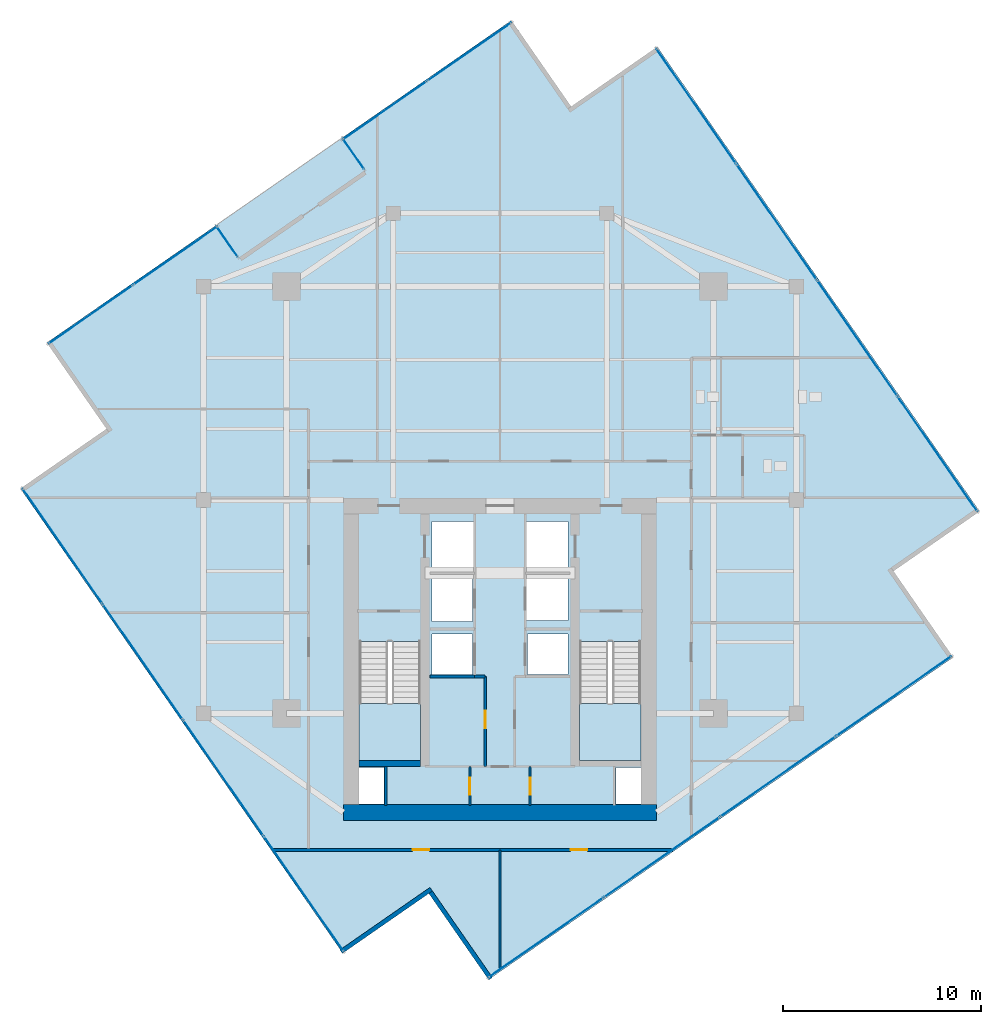
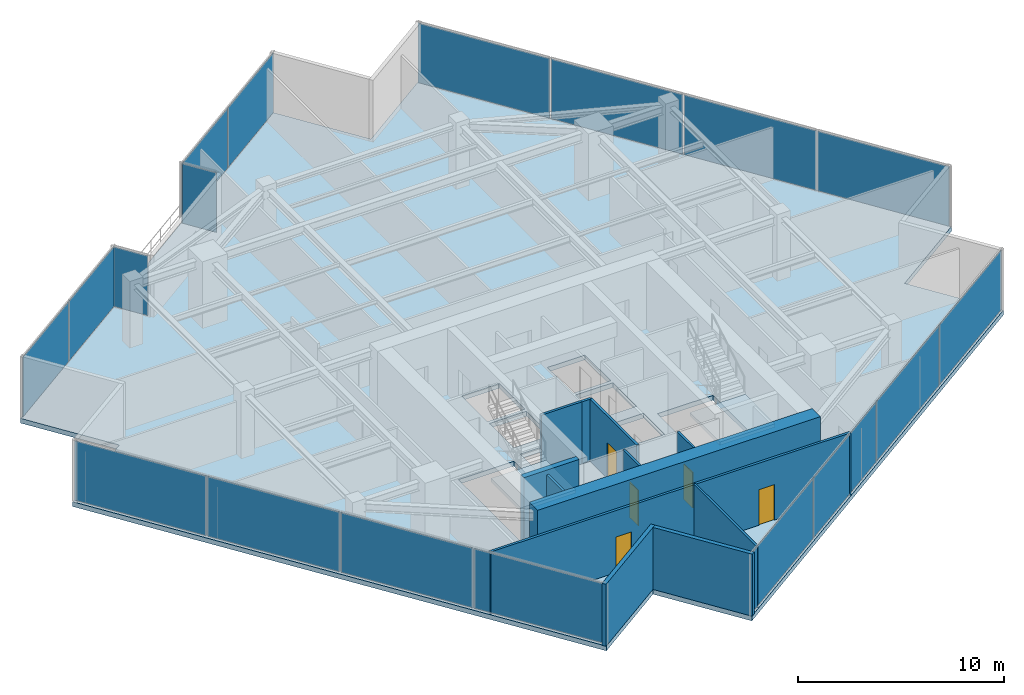
# One storey, part 17 of 21: 18 plates, 12 walls, 5 doors, 3 slabs, 5 openings, 9 elements without a shape of their own.
"""IFC4 building model written with IfcOpenShell, lengths in metres."""

from ifc_helpers import new_model, si_unit, direction, frame, frame_2d, origin, origin_2d, place, context, subcontext, project, spatial, polyline, rectangle, outline, extrude, source, transform, mapped, material, layer, layer_set, type_object, type_shapes, element, fill, aggregate, save


model = new_model("IFC4")

# Units and contexts
model_context = context("Model", 3, precision=1e-05, world=origin(), true_north=direction((0.0, 1.0)))
body_context = subcontext(model_context, "Body", "Model", "MODEL_VIEW")
ifc_project = project(units=[si_unit("LENGTHUNIT", "METRE"), si_unit("AREAUNIT", "SQUARE_METRE"), si_unit("VOLUMEUNIT", "CUBIC_METRE"), si_unit("PLANEANGLEUNIT", "RADIAN"), si_unit("MASSUNIT", "GRAM", prefix="KILO")], contexts=[model_context])

# Site, building, storey
site_placement = place(None, origin())
site = spatial("IfcSite", under=ifc_project, at=site_placement, CompositionType="ELEMENT")
building_placement = place(site_placement, origin())
building = spatial("IfcBuilding", under=site, at=building_placement, Name="Krantzveldt Concourse Tower", CompositionType="ELEMENT")
storey_placement = place(building_placement, frame((0.0, 0.0, 271.35009765625)))
storey = spatial("IfcBuildingStorey", under=building, at=storey_placement, Name="L66", CompositionType="ELEMENT", Elevation=271.35009765625)

# Stair, slab
ifc_material_1 = material(Name="Precast concrete C40/50", Category="concrete")
stair_type = type_object("IfcStairType", Name="STR-CORE-DOGLEG", PredefinedType="HALF_TURN_STAIR", material=ifc_material_1)
stair_1_placement = place(storey_placement, origin())
stair_1 = element("IfcStair", 1, at=stair_1_placement, inside=storey, type_object=stair_type, Name="L66 Protected Escape Stair ST-1", PredefinedType="HALF_TURN_STAIR")
ifc_layer_1 = layer(ifc_material_1, 0.199951171875, Name="Precast concrete C40/50", Category="concrete")
ifc_layer_set_1 = layer_set([ifc_layer_1], Name="Precast concrete C40/50 (SL-LANDING-200)")
slab_type_1 = type_object("IfcSlabType", Name="SL-LANDING-200", PredefinedType="LANDING", material=ifc_layer_set_1)
slab_1_placement = place(storey_placement, frame((0.0, 0.0, 1.77490234375)))
slab_1 = element("IfcSlab", 2, at=slab_1_placement, type_object=slab_type_1, Name="ST-1 landing 1", PredefinedType="LANDING", context=body_context, shape_type="SweptSolid", body=[
    extrude(outline(polyline([(28.8798828125, 16.4150390625), (28.8798828125, 13.52001953125), (31.97998046875, 13.52001953125), (31.97998046875, 16.4150390625), (28.8798828125, 16.4150390625)])), origin(), (0.0, 0.0, 1.0), 0.199951171875),
])
aggregate(stair_1, [slab_1])

stair_2_placement = place(storey_placement, origin())
stair_2 = element("IfcStair", 3, at=stair_2_placement, inside=storey, type_object=stair_type, Name="L66 Protected Escape Stair ST-2", PredefinedType="HALF_TURN_STAIR")
slab_2_placement = place(storey_placement, frame((0.0, 0.0, 1.77490234375)))
slab_2 = element("IfcSlab", 4, at=slab_2_placement, type_object=slab_type_1, Name="ST-2 landing 1", PredefinedType="LANDING", context=body_context, shape_type="SweptSolid", body=[
    extrude(outline(polyline([(40.02001953125, 16.4150390625), (40.02001953125, 13.52001953125), (43.1201171875, 13.52001953125), (43.1201171875, 16.4150390625), (40.02001953125, 16.4150390625)])), origin(), (0.0, 0.0, 1.0), 0.199951171875),
])
aggregate(stair_2, [slab_2])

# Slab
ifc_material_2 = material(Name="Concrete C40/50", Category="concrete")
ifc_layer_2 = layer(ifc_material_2, 0.280029296875, Name="Concrete C40/50", Category="concrete")
ifc_layer_set_2 = layer_set([ifc_layer_2], Name="Concrete C40/50 (SL-SL-TER280)")
slab_type_2 = type_object("IfcSlabType", Name="SL-SL-TER280", PredefinedType="FLOOR", material=ifc_layer_set_2)
slab_3_placement = place(storey_placement, frame((0.0, 0.0, -0.280029296875)))
element("IfcSlab", 5, at=slab_3_placement, inside=storey, type_object=slab_type_2, Name="SL-L66-MAIN", PredefinedType="FLOOR", context=body_context, shape_type="SweptSolid", body=[
    extrude(outline(polyline([(39.5986328125, 46.6005859375), (36.57763671875, 50.955322265625), (13.07861328125, 34.6533203125), (16.099609375, 30.298583984375), (11.744873046875, 27.277587890625), (28.046630859375, 3.778564453125), (32.4013671875, 6.799560546875), (35.42236328125, 2.44482421875), (58.92138671875, 18.74658203125), (55.900390625, 23.101318359375), (60.255126953125, 26.122314453125), (43.953369140625, 49.62158203125), (39.5986328125, 46.6005859375)]), holes=[polyline([(28.8798828125, 19.547607421875), (28.8798828125, 13.52001953125), (31.97998046875, 13.52001953125), (31.97998046875, 19.547607421875), (28.8798828125, 19.547607421875)]), polyline([(40.02001953125, 19.547607421875), (40.02001953125, 13.52001953125), (43.1201171875, 13.52001953125), (43.1201171875, 19.547607421875), (40.02001953125, 19.547607421875)]), polyline([(32.550048828125, 23.10009765625), (34.64990234375, 23.10009765625), (34.64990234375, 25.60009765625), (32.550048828125, 25.60009765625), (32.550048828125, 23.10009765625)]), polyline([(37.35009765625, 23.10009765625), (39.449951171875, 23.10009765625), (39.449951171875, 25.60009765625), (37.35009765625, 25.60009765625), (37.35009765625, 23.10009765625)]), polyline([(37.35009765625, 20.60009765625), (39.449951171875, 20.60009765625), (39.449951171875, 22.89990234375), (37.35009765625, 22.89990234375), (37.35009765625, 20.60009765625)]), polyline([(32.550048828125, 20.550048828125), (34.6201171875, 20.550048828125), (34.6201171875, 22.89990234375), (32.550048828125, 22.89990234375), (32.550048828125, 20.550048828125)]), polyline([(32.550048828125, 17.8798828125), (34.6201171875, 17.8798828125), (34.6201171875, 19.919921875), (32.550048828125, 19.919921875), (32.550048828125, 17.8798828125)]), polyline([(37.3798828125, 17.8798828125), (39.449951171875, 17.8798828125), (39.449951171875, 19.919921875), (37.3798828125, 19.919921875), (37.3798828125, 17.8798828125)]), polyline([(28.8798828125, 11.320068359375), (30.139892578125, 11.320068359375), (30.139892578125, 13.159912109375), (28.8798828125, 13.159912109375), (28.8798828125, 11.320068359375)]), polyline([(41.860107421875, 11.320068359375), (43.1201171875, 11.320068359375), (43.1201171875, 13.159912109375), (41.860107421875, 13.159912109375), (41.860107421875, 11.320068359375)])]), origin(), (0.0, 0.0, 1.0), 0.280029296875),
])

# Curtain wall, plate
ifc_material_3 = material(Name="Anodised aluminium 6063-T6", Category="aluminium")
curtain_wall_type_1 = type_object("IfcCurtainWallType", Name="CW6", PredefinedType="USERDEFINED", material=ifc_material_3)
curtain_wall_1_placement = place(storey_placement, origin())
curtain_wall_1 = element("IfcCurtainWall", 6, at=curtain_wall_1_placement, inside=storey, type_object=curtain_wall_type_1, Name="CW-L66-TR02", ObjectType="UNITISED CURTAIN WALL", PredefinedType="USERDEFINED")
ifc_material_4 = material(Name="Bronze-tinted laminated low-E IGU glass", Category="glass")
ifc_layer_3 = layer(ifc_material_4, 0.031982421875, Name="Bronze-tinted laminated low-E IGU glass", Category="glass")
ifc_layer_set_3 = layer_set([ifc_layer_3], Name="Bronze-tinted laminated low-E IGU glass (CW-GLZ-32)")
plate_type = type_object("IfcPlateType", Name="CW-GLZ-32", PredefinedType="CURTAIN_PANEL", material=ifc_layer_set_3)
shared_shape_1 = source(origin(), body_context, "Body", "SweptSolid", [
    extrude(rectangle(XDim=1.860107421875, YDim=0.031982421875, at=origin_2d()), origin(), (0.0, 0.0, 1.0), 3.530029296875),
])
plate_1_placement = place(storey_placement, frame((28.59423828125, 44.199951171875, 0.06982421875), z_axis=(0.0, 0.0, 1.0), x_axis=(0.569997514107, -0.8216464166, 0.0)))
plate_1 = element("IfcPlate", 7, at=plate_1_placement, type_object=plate_type, Name="CW-TERR panel 1.1", PredefinedType="CURTAIN_PANEL", context=body_context, shape_type="MappedRepresentation", body=[
    mapped(shared_shape_1, transform((0.0, 0.0, 0.0), x_axis=(1.0, 0.0, 0.0), y_axis=(0.0, 1.0, 0.0), z_axis=(0.0, 0.0, 1.0), scale=1.0)),
])
aggregate(curtain_wall_1, [plate_1])

curtain_wall_2_placement = place(storey_placement, origin())
curtain_wall_2 = element("IfcCurtainWall", 8, at=curtain_wall_2_placement, inside=storey, type_object=curtain_wall_type_1, Name="CW-L66-TR04", ObjectType="UNITISED CURTAIN WALL", PredefinedType="USERDEFINED")
plate_2_placement = place(storey_placement, frame((22.201904296875, 39.765380859375, 0.06982421875), z_axis=(0.0, 0.0, 1.0), x_axis=(-0.569996480262, 0.821647133805, 0.0)))
plate_2 = element("IfcPlate", 9, at=plate_2_placement, type_object=plate_type, Name="CW-TERR panel 1.1", PredefinedType="CURTAIN_PANEL", context=body_context, shape_type="MappedRepresentation", body=[
    mapped(shared_shape_1, transform((0.0, 0.0, 0.0), x_axis=(1.0, 0.0, 0.0), y_axis=(0.0, 1.0, 0.0), z_axis=(0.0, 0.0, 1.0), scale=1.0)),
])
aggregate(curtain_wall_2, [plate_2])

# Curtain wall, plates
curtain_wall_type_2 = type_object("IfcCurtainWallType", Name="CW4", PredefinedType="USERDEFINED", material=ifc_material_3)
curtain_wall_3_placement = place(storey_placement, origin())
curtain_wall_3 = element("IfcCurtainWall", 10, at=curtain_wall_3_placement, inside=storey, type_object=curtain_wall_type_2, Name="CW-L66-F08", ObjectType="UNITISED CURTAIN WALL", PredefinedType="USERDEFINED")
shared_shape_2 = source(origin(), body_context, "Body", "SweptSolid", [
    extrude(rectangle(XDim=7.044921875, YDim=0.031982421875, at=origin_2d()), origin(), (0.0, 0.0, 1.0), 3.530029296875),
])
plate_3_placement = place(storey_placement, frame((13.866455078125, 24.377197265625, 0.06982421875), z_axis=(0.0, 0.0, 1.0), x_axis=(0.569996627395, -0.821647031735, 0.0)))
plate_3 = element("IfcPlate", 11, at=plate_3_placement, type_object=plate_type, Name="CW-Z56 panel 1.1", PredefinedType="CURTAIN_PANEL", context=body_context, shape_type="MappedRepresentation", body=[
    mapped(shared_shape_2, transform((0.0, 0.0, 0.0), x_axis=(1.0, 0.0, 0.0), y_axis=(0.0, 1.0, 0.0), z_axis=(0.0, 0.0, 1.0), scale=1.0)),
])
plate_4_placement = place(storey_placement, frame((26.072998046875, 6.781494140625, 0.06982421875), z_axis=(0.0, 0.0, 1.0), x_axis=(0.569996627395, -0.821647031735, 0.0)))
plate_4 = element("IfcPlate", 12, at=plate_4_placement, type_object=plate_type, Name="CW-Z56 panel 4.1", PredefinedType="CURTAIN_PANEL", context=body_context, shape_type="MappedRepresentation", body=[
    mapped(shared_shape_2, transform((0.0, 0.0, 0.0), x_axis=(1.0, 0.0, 0.0), y_axis=(0.0, 1.0, 0.0), z_axis=(0.0, 0.0, 1.0), scale=1.0)),
])

curtain_wall_4_placement = place(storey_placement, origin())
curtain_wall_4 = element("IfcCurtainWall", 13, at=curtain_wall_4_placement, inside=storey, type_object=curtain_wall_type_2, Name="CW-L66-F11", ObjectType="UNITISED CURTAIN WALL", PredefinedType="USERDEFINED")
plate_5_placement = place(storey_placement, frame((38.32275390625, 4.56640625, 0.06982421875), z_axis=(0.0, 0.0, 1.0), x_axis=(0.821647031735, 0.569996627395, 0.0)))
plate_5 = element("IfcPlate", 14, at=plate_5_placement, type_object=plate_type, Name="CW-Z56 panel 1.1", PredefinedType="CURTAIN_PANEL", context=body_context, shape_type="MappedRepresentation", body=[
    mapped(shared_shape_2, transform((0.0, 0.0, 0.0), x_axis=(1.0, 0.0, 0.0), y_axis=(0.0, 1.0, 0.0), z_axis=(0.0, 0.0, 1.0), scale=1.0)),
])
plate_6_placement = place(storey_placement, frame((55.91845703125, 16.77294921875, 0.06982421875), z_axis=(0.0, 0.0, 1.0), x_axis=(0.821647031735, 0.569996627395, 0.0)))
plate_6 = element("IfcPlate", 15, at=plate_6_placement, type_object=plate_type, Name="CW-Z56 panel 4.1", PredefinedType="CURTAIN_PANEL", context=body_context, shape_type="MappedRepresentation", body=[
    mapped(shared_shape_2, transform((0.0, 0.0, 0.0), x_axis=(1.0, 0.0, 0.0), y_axis=(0.0, 1.0, 0.0), z_axis=(0.0, 0.0, 1.0), scale=1.0)),
])

curtain_wall_5_placement = place(storey_placement, origin())
curtain_wall_5 = element("IfcCurtainWall", 16, at=curtain_wall_5_placement, inside=storey, type_object=curtain_wall_type_2, Name="CW-L66-F14", ObjectType="UNITISED CURTAIN WALL", PredefinedType="USERDEFINED")
plate_7_placement = place(storey_placement, frame((58.133544921875, 29.02294921875, 0.06982421875), z_axis=(0.0, 0.0, 1.0), x_axis=(-0.569996627395, 0.821647031735, 0.0)))
plate_7 = element("IfcPlate", 17, at=plate_7_placement, type_object=plate_type, Name="CW-Z56 panel 1.1", PredefinedType="CURTAIN_PANEL", context=body_context, shape_type="MappedRepresentation", body=[
    mapped(shared_shape_2, transform((0.0, 0.0, 0.0), x_axis=(1.0, 0.0, 0.0), y_axis=(0.0, 1.0, 0.0), z_axis=(0.0, 0.0, 1.0), scale=1.0)),
])
plate_8_placement = place(storey_placement, frame((45.927001953125, 46.618408203125, 0.06982421875), z_axis=(0.0, 0.0, 1.0), x_axis=(-0.569996627395, 0.821647031735, 0.0)))
plate_8 = element("IfcPlate", 18, at=plate_8_placement, type_object=plate_type, Name="CW-Z56 panel 4.1", PredefinedType="CURTAIN_PANEL", context=body_context, shape_type="MappedRepresentation", body=[
    mapped(shared_shape_2, transform((0.0, 0.0, 0.0), x_axis=(1.0, 0.0, 0.0), y_axis=(0.0, 1.0, 0.0), z_axis=(0.0, 0.0, 1.0), scale=1.0)),
])

# Plate
shared_shape_3 = source(origin(), body_context, "Body", "SweptSolid", [
    extrude(rectangle(XDim=7.080078125, YDim=0.031982421875, at=origin_2d()), origin(), (0.0, 0.0, 1.0), 3.530029296875),
])
plate_9_placement = place(storey_placement, frame((17.931884765625, 18.516845703125, 0.06982421875), z_axis=(0.0, 0.0, 1.0), x_axis=(0.569996627395, -0.821647031735, 0.0)))
plate_9 = element("IfcPlate", 19, at=plate_9_placement, type_object=plate_type, Name="CW-Z56 panel 2.1", PredefinedType="CURTAIN_PANEL", context=body_context, shape_type="MappedRepresentation", body=[
    mapped(shared_shape_3, transform((0.0, 0.0, 0.0), x_axis=(1.0, 0.0, 0.0), y_axis=(0.0, 1.0, 0.0), z_axis=(0.0, 0.0, 1.0), scale=1.0)),
])

plate_10_placement = place(storey_placement, frame((22.00732421875, 12.64208984375, 0.06982421875), z_axis=(0.0, 0.0, 1.0), x_axis=(0.569996627395, -0.821647031735, 0.0)))
plate_10 = element("IfcPlate", 20, at=plate_10_placement, type_object=plate_type, Name="CW-Z56 panel 3.1", PredefinedType="CURTAIN_PANEL", context=body_context, shape_type="MappedRepresentation", body=[
    mapped(shared_shape_3, transform((0.0, 0.0, 0.0), x_axis=(1.0, 0.0, 0.0), y_axis=(0.0, 1.0, 0.0), z_axis=(0.0, 0.0, 1.0), scale=1.0)),
])

aggregate(curtain_wall_3, [plate_3, plate_9, plate_10, plate_4])

plate_11_placement = place(storey_placement, frame((44.183349609375, 8.6318359375, 0.06982421875), z_axis=(0.0, 0.0, 1.0), x_axis=(0.821647031735, 0.569996627395, 0.0)))
plate_11 = element("IfcPlate", 21, at=plate_11_placement, type_object=plate_type, Name="CW-Z56 panel 2.1", PredefinedType="CURTAIN_PANEL", context=body_context, shape_type="MappedRepresentation", body=[
    mapped(shared_shape_3, transform((0.0, 0.0, 0.0), x_axis=(1.0, 0.0, 0.0), y_axis=(0.0, 1.0, 0.0), z_axis=(0.0, 0.0, 1.0), scale=1.0)),
])

plate_12_placement = place(storey_placement, frame((50.05810546875, 12.70751953125, 0.06982421875), z_axis=(0.0, 0.0, 1.0), x_axis=(0.821647031735, 0.569996627395, 0.0)))
plate_12 = element("IfcPlate", 22, at=plate_12_placement, type_object=plate_type, Name="CW-Z56 panel 3.1", PredefinedType="CURTAIN_PANEL", context=body_context, shape_type="MappedRepresentation", body=[
    mapped(shared_shape_3, transform((0.0, 0.0, 0.0), x_axis=(1.0, 0.0, 0.0), y_axis=(0.0, 1.0, 0.0), z_axis=(0.0, 0.0, 1.0), scale=1.0)),
])

aggregate(curtain_wall_4, [plate_5, plate_11, plate_12, plate_6])

plate_13_placement = place(storey_placement, frame((54.068115234375, 34.88330078125, 0.06982421875), z_axis=(0.0, 0.0, 1.0), x_axis=(-0.569996627395, 0.821647031735, 0.0)))
plate_13 = element("IfcPlate", 23, at=plate_13_placement, type_object=plate_type, Name="CW-Z56 panel 2.1", PredefinedType="CURTAIN_PANEL", context=body_context, shape_type="MappedRepresentation", body=[
    mapped(shared_shape_3, transform((0.0, 0.0, 0.0), x_axis=(1.0, 0.0, 0.0), y_axis=(0.0, 1.0, 0.0), z_axis=(0.0, 0.0, 1.0), scale=1.0)),
])

plate_14_placement = place(storey_placement, frame((49.99267578125, 40.758056640625, 0.06982421875), z_axis=(0.0, 0.0, 1.0), x_axis=(-0.569996627395, 0.821647031735, 0.0)))
plate_14 = element("IfcPlate", 24, at=plate_14_placement, type_object=plate_type, Name="CW-Z56 panel 3.1", PredefinedType="CURTAIN_PANEL", context=body_context, shape_type="MappedRepresentation", body=[
    mapped(shared_shape_3, transform((0.0, 0.0, 0.0), x_axis=(1.0, 0.0, 0.0), y_axis=(0.0, 1.0, 0.0), z_axis=(0.0, 0.0, 1.0), scale=1.0)),
])

aggregate(curtain_wall_5, [plate_7, plate_13, plate_14, plate_8])

# Curtain wall, plates
curtain_wall_6_placement = place(storey_placement, origin())
curtain_wall_6 = element("IfcCurtainWall", 25, at=curtain_wall_6_placement, inside=storey, type_object=curtain_wall_type_2, Name="CW-L66-F01", ObjectType="UNITISED CURTAIN WALL", PredefinedType="USERDEFINED")
shared_shape_4 = source(origin(), body_context, "Body", "SweptSolid", [
    extrude(rectangle(XDim=5.14501953125, YDim=0.031982421875, at=origin_2d()), origin(), (0.0, 0.0, 1.0), 3.530029296875),
])
type_shapes(plate_type, [shared_shape_1, shared_shape_2, shared_shape_3, shared_shape_4])
plate_15_placement = place(storey_placement, frame((34.457763671875, 49.375, 0.06982421875), z_axis=(0.0, 0.0, 1.0), x_axis=(-0.821647117748, -0.569996503407, 0.0)))
plate_15 = element("IfcPlate", 26, at=plate_15_placement, type_object=plate_type, Name="CW-Z56 panel 1.1", PredefinedType="CURTAIN_PANEL", context=body_context, shape_type="MappedRepresentation", body=[
    mapped(shared_shape_4, transform((0.0, 0.0, 0.0), x_axis=(1.0, 0.0, 0.0), y_axis=(0.0, 1.0, 0.0), z_axis=(0.0, 0.0, 1.0), scale=1.0)),
])
plate_16_placement = place(storey_placement, frame((30.1728515625, 46.402587890625, 0.06982421875), z_axis=(0.0, 0.0, 1.0), x_axis=(-0.821647117748, -0.569996503407, 0.0)))
plate_16 = element("IfcPlate", 27, at=plate_16_placement, type_object=plate_type, Name="CW-Z56 panel 2.1", PredefinedType="CURTAIN_PANEL", context=body_context, shape_type="MappedRepresentation", body=[
    mapped(shared_shape_4, transform((0.0, 0.0, 0.0), x_axis=(1.0, 0.0, 0.0), y_axis=(0.0, 1.0, 0.0), z_axis=(0.0, 0.0, 1.0), scale=1.0)),
])
aggregate(curtain_wall_6, [plate_15, plate_16])

curtain_wall_7_placement = place(storey_placement, origin())
curtain_wall_7 = element("IfcCurtainWall", 28, at=curtain_wall_7_placement, inside=storey, type_object=curtain_wall_type_2, Name="CW-L66-F05", ObjectType="UNITISED CURTAIN WALL", PredefinedType="USERDEFINED")
plate_17_placement = place(storey_placement, frame((19.5859375, 39.05810546875, 0.06982421875), z_axis=(0.0, 0.0, 1.0), x_axis=(-0.82164742717, -0.569996057376, 0.0)))
plate_17 = element("IfcPlate", 29, at=plate_17_placement, type_object=plate_type, Name="CW-Z56 panel 1.1", PredefinedType="CURTAIN_PANEL", context=body_context, shape_type="MappedRepresentation", body=[
    mapped(shared_shape_4, transform((0.0, 0.0, 0.0), x_axis=(1.0, 0.0, 0.0), y_axis=(0.0, 1.0, 0.0), z_axis=(0.0, 0.0, 1.0), scale=1.0)),
])
plate_18_placement = place(storey_placement, frame((15.301025390625, 36.085693359375, 0.06982421875), z_axis=(0.0, 0.0, 1.0), x_axis=(-0.82164742717, -0.569996057376, 0.0)))
plate_18 = element("IfcPlate", 30, at=plate_18_placement, type_object=plate_type, Name="CW-Z56 panel 2.1", PredefinedType="CURTAIN_PANEL", context=body_context, shape_type="MappedRepresentation", body=[
    mapped(shared_shape_4, transform((0.0, 0.0, 0.0), x_axis=(1.0, 0.0, 0.0), y_axis=(0.0, 1.0, 0.0), z_axis=(0.0, 0.0, 1.0), scale=1.0)),
])
aggregate(curtain_wall_7, [plate_17, plate_18])

# Walls
ifc_layer_4 = layer(ifc_material_3, 0.219970703125, Name="Anodised aluminium 6063-T6", Category="aluminium")
ifc_layer_set_4 = layer_set([ifc_layer_4], Name="Anodised aluminium 6063-T6 (WL-EXT-NOTCH220)")
wall_type_1 = type_object("IfcWallType", Name="WL-EXT-NOTCH220", PredefinedType="ELEMENTEDWALL", material=ifc_layer_set_4)
wall_1_placement = place(storey_placement, frame((27.96337890625, 3.854736328125, 0.0), z_axis=(0.0, 0.0, 1.0), x_axis=(0.821652918874, 0.569988141022, 0.0)))
element("IfcWall", 31, at=wall_1_placement, inside=storey, type_object=wall_type_1, Name="EW-L66-NCH09", PredefinedType="ELEMENTEDWALL", context=body_context, shape_type="SweptSolid", body=[
    extrude(rectangle(XDim=5.545166015625, YDim=0.219970703125, at=frame_2d((2.7724609375, 0.0))), origin(), (0.0, 0.0, 1.0), 3.669921875),
])
wall_2_placement = place(storey_placement, frame((32.49169921875, 6.8623046875, 0.0), z_axis=(0.0, 0.0, 1.0), x_axis=(0.569998811791, -0.821645516361, 0.0)))
element("IfcWall", 32, at=wall_2_placement, inside=storey, type_object=wall_type_1, Name="EW-L66-NCH10", PredefinedType="ELEMENTEDWALL", context=body_context, shape_type="SweptSolid", body=[
    extrude(rectangle(XDim=5.3251953125, YDim=0.219970703125, at=frame_2d((2.66259765625, 0.0))), origin(), (0.0, 0.0, 1.0), 3.669921875),
])

# Wall, opening, door
ifc_material_5 = material(Name="Fire-rated gypsum plasterboard on steel stud", Category="steel")
ifc_layer_5 = layer(ifc_material_5, 0.1201171875, Name="Fire-rated gypsum plasterboard on steel stud", Category="steel")
ifc_layer_set_5 = layer_set([ifc_layer_5], Name="Fire-rated gypsum plasterboard on steel stud (WL-PART-120)")
wall_type_2 = type_object("IfcWallType", Name="WL-PART-120", PredefinedType="PARTITIONING", material=ifc_layer_set_5)
wall_3_placement = place(storey_placement, frame((34.47998046875, 11.25, 0.0), z_axis=(0.0, 0.0, 1.0), x_axis=(0.0, 1.0, 0.0)))
wall_3 = element("IfcWall", 33, at=wall_3_placement, inside=storey, type_object=wall_type_2, Name="WP-L66-CSB-VL", PredefinedType="PARTITIONING", context=body_context, shape_type="SweptSolid", body=[
    extrude(rectangle(XDim=1.969970703125, YDim=0.1201171875, at=frame_2d((0.98486328125, 0.0))), origin(), (0.0, 0.0, 1.0), 3.669921875),
])
opening_1_placement = place(wall_3_placement, frame((0.544921875, 0.0, 0.0)))
opening_1 = element("IfcOpeningElement", 34, at=opening_1_placement, cuts=wall_3, Name="Opening D-IN085", PredefinedType="OPENING", context=body_context, shape_type="SweptSolid", body=[
    extrude(rectangle(XDim=0.85009765625, YDim=2.10009765625, at=frame_2d((0.425048828125, 1.050048828125))), frame((0.0, 0.070068359375, 0.0), z_axis=(0.0, -1.0, 0.0), x_axis=(1.0, 0.0, 0.0)), (0.0, 0.0, 1.0), 0.14013671875),
])
ifc_material_6 = material(Name="Hardwood timber", Category="wood")
door_type_1 = type_object("IfcDoorType", Name="DR-INT-850", OperationType="SINGLE_SWING_LEFT", PredefinedType="DOOR", material=ifc_material_6)
door_1_placement = place(opening_1_placement, origin())
door_1 = element("IfcDoor", 35, at=door_1_placement, inside=storey, type_object=door_type_1, Name="DR-L66-CSB1", OperationType="SINGLE_SWING_LEFT", OverallHeight=2.10009765625, OverallWidth=0.85009765625, PredefinedType="DOOR", context=body_context, shape_type="SweptSolid", body=[
    extrude(rectangle(XDim=0.85009765625, YDim=2.10009765625, at=frame_2d((0.425048828125, 1.050048828125))), frame((0.0, 0.02490234375, 0.0), z_axis=(0.0, -1.0, 0.0), x_axis=(1.0, 0.0, 0.0)), (0.0, 0.0, 1.0), 0.050048828125),
])
fill(opening_1, door_1)

wall_4_placement = place(storey_placement, frame((37.52001953125, 11.25, 0.0), z_axis=(0.0, 0.0, 1.0), x_axis=(0.0, 1.0, 0.0)))
wall_4 = element("IfcWall", 36, at=wall_4_placement, inside=storey, type_object=wall_type_2, Name="WP-L66-CSB-VR", PredefinedType="PARTITIONING", context=body_context, shape_type="SweptSolid", body=[
    extrude(rectangle(XDim=1.969970703125, YDim=0.1201171875, at=frame_2d((0.98486328125, 0.0))), origin(), (0.0, 0.0, 1.0), 3.669921875),
])
opening_2_placement = place(wall_4_placement, frame((0.544921875, 0.0, 0.0)))
opening_2 = element("IfcOpeningElement", 37, at=opening_2_placement, cuts=wall_4, Name="Opening D-IN085", PredefinedType="OPENING", context=body_context, shape_type="SweptSolid", body=[
    extrude(rectangle(XDim=0.85009765625, YDim=2.10009765625, at=frame_2d((0.425048828125, 1.050048828125))), frame((0.0, 0.070068359375, 0.0), z_axis=(0.0, -1.0, 0.0), x_axis=(1.0, 0.0, 0.0)), (0.0, 0.0, 1.0), 0.14013671875),
])
door_2_placement = place(opening_2_placement, origin())
door_2 = element("IfcDoor", 38, at=door_2_placement, inside=storey, type_object=door_type_1, Name="DR-L66-CSB2", OperationType="SINGLE_SWING_RIGHT", OverallHeight=2.10009765625, OverallWidth=0.85009765625, PredefinedType="DOOR", context=body_context, shape_type="SweptSolid", body=[
    extrude(rectangle(XDim=0.85009765625, YDim=2.10009765625, at=frame_2d((0.425048828125, 1.050048828125))), frame((0.0, 0.02490234375, 0.0), z_axis=(0.0, -1.0, 0.0), x_axis=(1.0, 0.0, 0.0)), (0.0, 0.0, 1.0), 0.050048828125),
])
fill(opening_2, door_2)

# Wall
wall_5_placement = place(storey_placement, frame((36.0, 2.955078125, 0.0), z_axis=(0.0, 0.0, 1.0), x_axis=(0.0, 1.0, 0.0)))
element("IfcWall", 39, at=wall_5_placement, inside=storey, type_object=wall_type_2, Name="WP-L66-SSMD", PredefinedType="PARTITIONING", context=body_context, shape_type="SweptSolid", body=[
    extrude(rectangle(XDim=6.044921875, YDim=0.1201171875, at=frame_2d((3.0224609375, 0.0))), origin(), (0.0, 0.0, 1.0), 3.669921875),
])

# Wall, openings, doors
ifc_layer_6 = layer(ifc_material_5, 0.139892578125, Name="Fire-rated gypsum plasterboard on steel stud", Category="steel")
ifc_layer_set_6 = layer_set([ifc_layer_6], Name="Fire-rated gypsum plasterboard on steel stud (WL-PART-140)")
wall_type_3 = type_object("IfcWallType", Name="WL-PART-140", PredefinedType="PARTITIONING", material=ifc_layer_set_6)
wall_6_placement = place(storey_placement, frame((24.533935546875, 9.0, 0.0), z_axis=(0.0, 0.0, 1.0), x_axis=(1.0, 0.0, 0.0)))
wall_6 = element("IfcWall", 40, at=wall_6_placement, inside=storey, type_object=wall_type_3, Name="WP-L66-CSBOT", PredefinedType="PARTITIONING", context=body_context, shape_type="SweptSolid", body=[
    extrude(rectangle(XDim=20.179931640625, YDim=0.139892578125, at=frame_2d((10.08984375, 0.0))), origin(), (0.0, 0.0, 1.0), 3.669921875),
])
opening_3_placement = place(wall_6_placement, frame((7.041015625, 0.0, 0.0)))
opening_3 = element("IfcOpeningElement", 41, at=opening_3_placement, cuts=wall_6, Name="Opening D-IN085", PredefinedType="OPENING", context=body_context, shape_type="SweptSolid", body=[
    extrude(rectangle(XDim=0.85009765625, YDim=2.10009765625, at=frame_2d((0.425048828125, 1.050048828125))), frame((0.0, 0.080078125, 0.0), z_axis=(0.0, -1.0, 0.0), x_axis=(1.0, 0.0, 0.0)), (0.0, 0.0, 1.0), 0.159912109375),
])
opening_4_placement = place(wall_6_placement, frame((15.041015625, 0.0, 0.0)))
opening_4 = element("IfcOpeningElement", 42, at=opening_4_placement, cuts=wall_6, Name="Opening D-IN085", PredefinedType="OPENING", context=body_context, shape_type="SweptSolid", body=[
    extrude(rectangle(XDim=0.85009765625, YDim=2.10009765625, at=frame_2d((0.425048828125, 1.050048828125))), frame((0.0, 0.080078125, 0.0), z_axis=(0.0, -1.0, 0.0), x_axis=(1.0, 0.0, 0.0)), (0.0, 0.0, 1.0), 0.159912109375),
])
door_3_placement = place(opening_3_placement, origin())
door_3 = element("IfcDoor", 43, at=door_3_placement, inside=storey, type_object=door_type_1, Name="DR-L66-SR1", OperationType="SINGLE_SWING_LEFT", OverallHeight=2.10009765625, OverallWidth=0.85009765625, PredefinedType="DOOR", context=body_context, shape_type="SweptSolid", body=[
    extrude(rectangle(XDim=0.85009765625, YDim=2.10009765625, at=frame_2d((0.425048828125, 1.050048828125))), frame((0.0, 0.02490234375, 0.0), z_axis=(0.0, -1.0, 0.0), x_axis=(1.0, 0.0, 0.0)), (0.0, 0.0, 1.0), 0.050048828125),
])
fill(opening_3, door_3)
door_4_placement = place(opening_4_placement, origin())
door_4 = element("IfcDoor", 44, at=door_4_placement, inside=storey, type_object=door_type_1, Name="DR-L66-SR2", OperationType="SINGLE_SWING_LEFT", OverallHeight=2.10009765625, OverallWidth=0.85009765625, PredefinedType="DOOR", context=body_context, shape_type="SweptSolid", body=[
    extrude(rectangle(XDim=0.85009765625, YDim=2.10009765625, at=frame_2d((0.425048828125, 1.050048828125))), frame((0.0, 0.02490234375, 0.0), z_axis=(0.0, -1.0, 0.0), x_axis=(1.0, 0.0, 0.0)), (0.0, 0.0, 1.0), 0.050048828125),
])
fill(opening_4, door_4)

# Wall
ifc_layer_7 = layer(ifc_material_5, 0.139892578125, Name="Fire-rated gypsum plasterboard on steel stud", Category="steel")
ifc_layer_set_7 = layer_set([ifc_layer_7], Name="Fire-rated gypsum plasterboard on steel stud (WL-PART-FR140)")
wall_type_4 = type_object("IfcWallType", Name="WL-PART-FR140", PredefinedType="PARTITIONING", material=ifc_layer_set_7)
wall_7_placement = place(storey_placement, frame((32.449951171875, 17.780029296875, 0.0), z_axis=(0.0, 0.0, 1.0), x_axis=(1.0, 0.0, 0.0)))
element("IfcWall", 45, at=wall_7_placement, inside=storey, type_object=wall_type_4, Name="WP-L66-DIVW2", PredefinedType="PARTITIONING", context=body_context, shape_type="SweptSolid", body=[
    extrude(rectangle(XDim=2.27001953125, YDim=0.139892578125, at=frame_2d((1.135009765625, 0.0))), origin(), (0.0, 0.0, 1.0), 3.669921875),
])

# Wall, opening, door
wall_8_placement = place(storey_placement, frame((35.25, 13.219970703125, 0.0), z_axis=(0.0, 0.0, 1.0), x_axis=(0.0, 1.0, 0.0)))
wall_8 = element("IfcWall", 46, at=wall_8_placement, inside=storey, type_object=wall_type_4, Name="WP-L66-RECW", PredefinedType="PARTITIONING", context=body_context, shape_type="SweptSolid", body=[
    extrude(rectangle(XDim=4.56005859375, YDim=0.139892578125, at=frame_2d((2.280029296875, 0.0))), origin(), (0.0, 0.0, 1.0), 3.669921875),
])
opening_5_placement = place(wall_8_placement, frame((1.929931640625, 0.0, 0.0)))
opening_5 = element("IfcOpeningElement", 47, at=opening_5_placement, cuts=wall_8, Name="Opening D-FD090", PredefinedType="OPENING", context=body_context, shape_type="SweptSolid", body=[
    extrude(rectangle(XDim=0.89990234375, YDim=2.10009765625, at=frame_2d((0.449951171875, 1.050048828125))), frame((0.0, 0.080078125, 0.0), z_axis=(0.0, -1.0, 0.0), x_axis=(1.0, 0.0, 0.0)), (0.0, 0.0, 1.0), 0.159912109375),
])
door_type_2 = type_object("IfcDoorType", Name="DR-FD60-900", OperationType="SINGLE_SWING_LEFT", PredefinedType="DOOR", material=ifc_material_6)
door_5_placement = place(opening_5_placement, origin())
door_5 = element("IfcDoor", 48, at=door_5_placement, inside=storey, type_object=door_type_2, Name="DR-L66-RECW", OperationType="SINGLE_SWING_LEFT", OverallHeight=2.10009765625, OverallWidth=0.89990234375, PredefinedType="DOOR", context=body_context, shape_type="SweptSolid", body=[
    extrude(rectangle(XDim=0.89990234375, YDim=2.10009765625, at=frame_2d((0.449951171875, 1.050048828125))), frame((0.0, 0.02490234375, 0.0), z_axis=(0.0, -1.0, 0.0), x_axis=(1.0, 0.0, 0.0)), (0.0, 0.0, 1.0), 0.050048828125),
])
fill(opening_5, door_5)

# Walls
wall_9_placement = place(storey_placement, frame((34.719970703125, 17.780029296875, 0.0), z_axis=(0.0, 0.0, 1.0), x_axis=(1.0, 0.0, 0.0)))
element("IfcWall", 49, at=wall_9_placement, inside=storey, type_object=wall_type_4, Name="WP-L66-RECWN", PredefinedType="PARTITIONING", context=body_context, shape_type="SweptSolid", body=[
    extrude(rectangle(XDim=0.530029296875, YDim=0.139892578125, at=frame_2d((0.26513671875, 0.0))), origin(), (0.0, 0.0, 1.0), 3.669921875),
])
wall_10_placement = place(storey_placement, frame((30.219970703125, 11.25, 0.0), z_axis=(0.0, 0.0, 1.0), x_axis=(0.0, 1.0, 0.0)))
element("IfcWall", 50, at=wall_10_placement, inside=storey, type_object=wall_type_4, Name="WP-L66-RSW", PredefinedType="PARTITIONING", context=body_context, shape_type="SweptSolid", body=[
    extrude(rectangle(XDim=1.969970703125, YDim=0.1201171875, at=frame_2d((0.98486328125, 0.0))), origin(), (0.0, 0.0, 1.0), 3.669921875),
])
ifc_material_7 = material(Name="Concrete C50/60", Category="concrete")
ifc_layer_8 = layer(ifc_material_7, 0.300048828125, Name="Concrete C50/60", Category="concrete")
ifc_layer_set_8 = layer_set([ifc_layer_8], Name="Concrete C50/60 (WL-SHEAR-300)")
wall_type_5 = type_object("IfcWallType", Name="WL-SHEAR-300", PredefinedType="SHEAR", material=ifc_layer_set_8)
wall_11_placement = place(storey_placement, frame((28.8798828125, 13.3701171875, 0.0), z_axis=(0.0, 0.0, 1.0), x_axis=(1.0, 0.0, 0.0)))
element("IfcWall", 51, at=wall_11_placement, inside=storey, type_object=wall_type_5, Name="CW-L66-ST1S", PredefinedType="SHEAR", context=body_context, shape_type="SweptSolid", body=[
    extrude(rectangle(XDim=3.10009765625, YDim=0.300048828125, at=frame_2d((1.550048828125, 0.0))), origin(), (0.0, 0.0, 1.0), 3.949951171875),
])
ifc_material_8 = material(Name="Concrete C60/75", Category="concrete")
ifc_layer_9 = layer(ifc_material_8, 0.800048828125, Name="Concrete C60/75", Category="concrete")
ifc_layer_set_9 = layer_set([ifc_layer_9], Name="Concrete C60/75 (WL-SHEAR-800)")
wall_type_6 = type_object("IfcWallType", Name="WL-SHEAR-800", PredefinedType="SHEAR", material=ifc_layer_set_9)
wall_12_placement = place(storey_placement, frame((28.080078125, 10.89990234375, 0.0), z_axis=(0.0, 0.0, 1.0), x_axis=(1.0, 0.0, 0.0)))
element("IfcWall", 52, at=wall_12_placement, inside=storey, type_object=wall_type_6, Name="CW-L66-S", PredefinedType="SHEAR", context=body_context, shape_type="SweptSolid", body=[
    extrude(rectangle(XDim=15.83984375, YDim=0.800048828125, at=frame_2d((7.919921875, 0.0))), origin(), (0.0, 0.0, 1.0), 3.949951171875),
])

save(model, "model.ifc")
